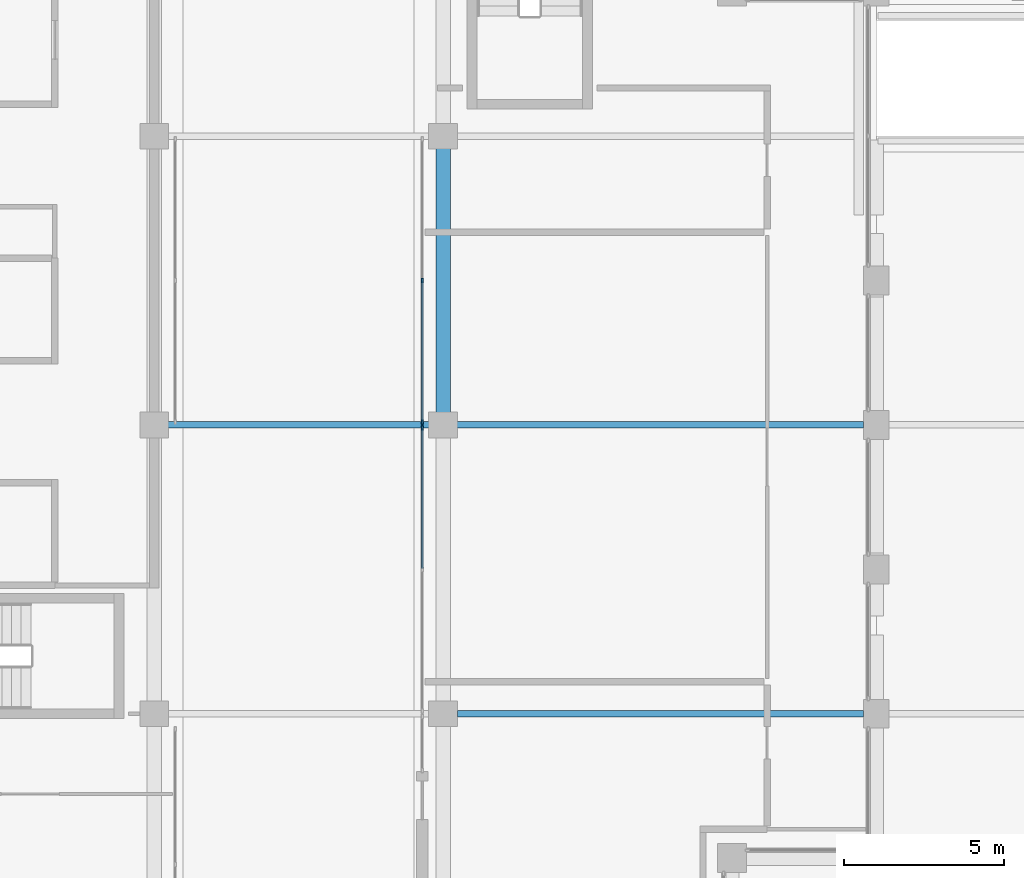
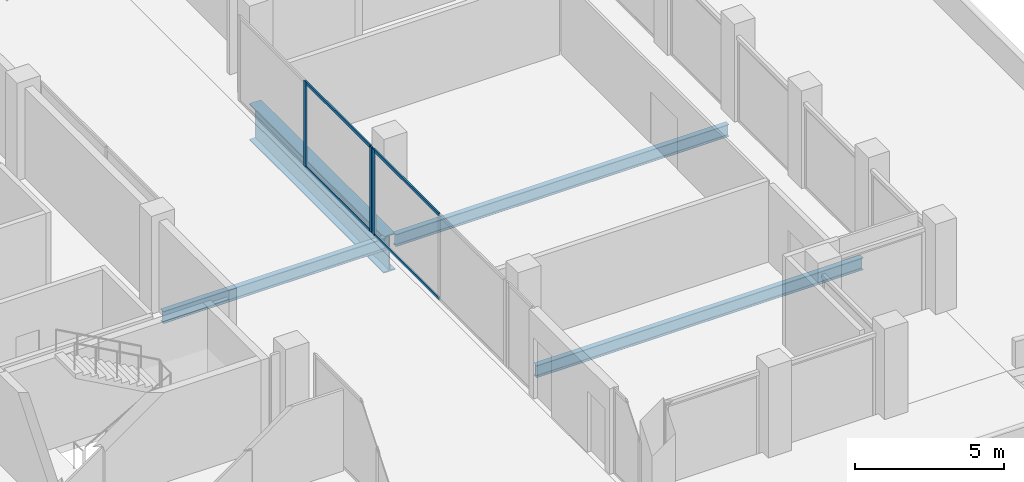
# One storey, part 5 of 14: 7 members, 4 beams, 2 elements without a shape of their own.
"""IFC4 building model written with IfcOpenShell, lengths in metres."""

from ifc_helpers import new_model, si_unit, direction, frame, origin, origin_2d, place, context, subcontext, project, spatial, rectangle, i_section, extrude, material, material_profile, profile_set, type_object, element, aggregate, save


model = new_model("IFC4")

# Units and contexts
model_context = context("Model", 3, precision=1e-05, world=origin(), true_north=direction((0.0, 1.0)))
body_context = subcontext(model_context, "Body", "Model", "MODEL_VIEW")
ifc_project = project(units=[si_unit("LENGTHUNIT", "METRE"), si_unit("AREAUNIT", "SQUARE_METRE"), si_unit("VOLUMEUNIT", "CUBIC_METRE"), si_unit("PLANEANGLEUNIT", "RADIAN"), si_unit("MASSUNIT", "GRAM", prefix="KILO")], contexts=[model_context])

# Site, building, storey
site_placement = place(None, origin())
site = spatial("IfcSite", under=ifc_project, at=site_placement, CompositionType="ELEMENT")
building_placement = place(site_placement, origin())
building = spatial("IfcBuilding", under=site, at=building_placement, Name="Brondeck Convention Tower", CompositionType="ELEMENT")
storey_placement = place(building_placement, frame((0.0, 0.0, 282.800048828125)))
storey = spatial("IfcBuildingStorey", under=building, at=storey_placement, Name="L70", CompositionType="ELEMENT", Elevation=282.800048828125)

# Curtain wall, members
ifc_material_1 = material(Name="Aluminium, bronze anodised", Category="aluminium")
curtain_wall_type = type_object("IfcCurtainWallType", Name="Crown screen curtain wall", PredefinedType="NOTDEFINED", material=ifc_material_1)
curtain_wall_1_placement = place(storey_placement, origin())
curtain_wall_1 = element("IfcCurtainWall", 1, at=curtain_wall_1_placement, inside=storey, type_object=curtain_wall_type, Name="ENV-CW4-L70-K2-SLOT-E-03", PredefinedType="NOTDEFINED")
ifc_material_profile_1 = material_profile(ifc_material_1, rectangle(XDim=0.06005859375, YDim=0.139892578125, at=origin_2d()), Name="CW4 mullion")
ifc_profile_set_1 = profile_set([ifc_material_profile_1], Name="Aluminium, bronze anodised")
member_type_1 = type_object("IfcMemberType", Name="CW4 mullion", PredefinedType="MULLION", material=ifc_profile_set_1)
member_1_placement = place(storey_placement, frame((21.85009765625, 45.090087890625, 0.0), z_axis=(0.0, 0.0, 1.0), x_axis=(-1.0, 0.0, 0.0)))
member_1 = element("IfcMember", 2, at=member_1_placement, type_object=member_type_1, Name="CW4 mullion 1", PredefinedType="MULLION", context=body_context, shape_type="SweptSolid", body=[
    extrude(rectangle(XDim=0.06005859375, YDim=0.139892578125, at=origin_2d()), origin(), (0.0, 0.0, 1.0), 3.5),
])
member_2_placement = place(storey_placement, frame((21.85009765625, 49.5, 0.0), z_axis=(0.0, 0.0, 1.0), x_axis=(-1.0, 0.0, 0.0)))
member_2 = element("IfcMember", 3, at=member_2_placement, type_object=member_type_1, Name="CW4 mullion 2", PredefinedType="MULLION", context=body_context, shape_type="SweptSolid", body=[
    extrude(rectangle(XDim=0.06005859375, YDim=0.139892578125, at=origin_2d()), origin(), (0.0, 0.0, 1.0), 3.5),
])

# Curtain wall, member
curtain_wall_2_placement = place(storey_placement, origin())
curtain_wall_2 = element("IfcCurtainWall", 4, at=curtain_wall_2_placement, inside=storey, type_object=curtain_wall_type, Name="ENV-CW4-L70-K2-SLOT-E-05", PredefinedType="NOTDEFINED")
member_3_placement = place(storey_placement, frame((21.85009765625, 44.909912109375, 0.0), z_axis=(0.0, 0.0, 1.0), x_axis=(-1.0, 0.0, 0.0)))
member_3 = element("IfcMember", 5, at=member_3_placement, type_object=member_type_1, Name="CW4 mullion 3", PredefinedType="MULLION", context=body_context, shape_type="SweptSolid", body=[
    extrude(rectangle(XDim=0.06005859375, YDim=0.139892578125, at=origin_2d()), origin(), (0.0, 0.0, 1.0), 3.5),
])

# Member
ifc_material_profile_2 = material_profile(ifc_material_1, rectangle(XDim=0.06005859375, YDim=0.1201171875, at=origin_2d()), Name="CW4 transom")
ifc_profile_set_2 = profile_set([ifc_material_profile_2], Name="Aluminium, bronze anodised")
member_type_2 = type_object("IfcMemberType", Name="CW4 transom", PredefinedType="USERDEFINED", material=ifc_profile_set_2)
member_4_placement = place(storey_placement, frame((21.85009765625, 45.1201171875, 0.030029296875), z_axis=(0.0, 1.0, 0.0), x_axis=(-1.0, 0.0, 0.0)))
member_4 = element("IfcMember", 6, at=member_4_placement, type_object=member_type_2, Name="CW4 transom 1.1", ObjectType="TRANSOM", PredefinedType="USERDEFINED", context=body_context, shape_type="SweptSolid", body=[
    extrude(rectangle(XDim=0.06005859375, YDim=0.1201171875, at=origin_2d()), origin(), (0.0, 0.0, 1.0), 4.349853515625),
])

member_5_placement = place(storey_placement, frame((21.85009765625, 45.1201171875, 3.469970703125), z_axis=(0.0, 1.0, 0.0), x_axis=(-1.0, 0.0, 0.0)))
member_5 = element("IfcMember", 7, at=member_5_placement, type_object=member_type_2, Name="CW4 transom 1.2", ObjectType="TRANSOM", PredefinedType="USERDEFINED", context=body_context, shape_type="SweptSolid", body=[
    extrude(rectangle(XDim=0.06005859375, YDim=0.1201171875, at=origin_2d()), origin(), (0.0, 0.0, 1.0), 4.349853515625),
])

aggregate(curtain_wall_1, [member_1, member_2, member_4, member_5])

member_6_placement = place(storey_placement, frame((21.85009765625, 40.530029296875, 0.030029296875), z_axis=(0.0, 1.0, 0.0), x_axis=(-1.0, 0.0, 0.0)))
member_6 = element("IfcMember", 8, at=member_6_placement, type_object=member_type_2, Name="CW4 transom 2.1", ObjectType="TRANSOM", PredefinedType="USERDEFINED", context=body_context, shape_type="SweptSolid", body=[
    extrude(rectangle(XDim=0.06005859375, YDim=0.1201171875, at=origin_2d()), origin(), (0.0, 0.0, 1.0), 4.349853515625),
])

member_7_placement = place(storey_placement, frame((21.85009765625, 40.530029296875, 3.469970703125), z_axis=(0.0, 1.0, 0.0), x_axis=(-1.0, 0.0, 0.0)))
member_7 = element("IfcMember", 9, at=member_7_placement, type_object=member_type_2, Name="CW4 transom 2.2", ObjectType="TRANSOM", PredefinedType="USERDEFINED", context=body_context, shape_type="SweptSolid", body=[
    extrude(rectangle(XDim=0.06005859375, YDim=0.1201171875, at=origin_2d()), origin(), (0.0, 0.0, 1.0), 4.349853515625),
])

aggregate(curtain_wall_2, [member_3, member_6, member_7])

# Beams
ifc_material_2 = material(Name="Steel S355", Category="steel")
ifc_material_profile_3 = material_profile(ifc_material_2, i_section(OverallWidth=0.199951171875, OverallDepth=0.5, WebThickness=0.01025390625, FlangeThickness=0.01611328125, FilletRadius=0.02099609375, at=origin_2d()), Name="IPE 500")
ifc_profile_set_3 = profile_set([ifc_material_profile_3], Name="Steel S355")
beam_type_1 = type_object("IfcBeamType", Name="Crown frame Floor beam IPE 500", PredefinedType="BEAM", material=ifc_profile_set_3)
beam_1_placement = place(storey_placement, frame((22.949951171875, 36.0, -0.550048828125), z_axis=(1.0, 0.0, 0.0), x_axis=(0.0, 1.0, 0.0)))
element("IfcBeam", 10, at=beam_1_placement, inside=storey, type_object=beam_type_1, Name="STR-FB-L70K2-001", PredefinedType="BEAM", context=body_context, shape_type="SweptSolid", body=[
    extrude(i_section(OverallWidth=0.199951171875, OverallDepth=0.5, WebThickness=0.01025390625, FlangeThickness=0.01611328125, FilletRadius=0.02099609375, at=origin_2d()), origin(), (0.0, 0.0, 1.0), 12.650146484375),
])
beam_2_placement = place(storey_placement, frame((22.695068359375, 45.0, -0.550048828125), z_axis=(1.0, 0.0, 0.0), x_axis=(0.0, 1.0, 0.0)))
element("IfcBeam", 11, at=beam_2_placement, inside=storey, type_object=beam_type_1, Name="STR-FB-L70K2-002", PredefinedType="BEAM", context=body_context, shape_type="SweptSolid", body=[
    extrude(i_section(OverallWidth=0.199951171875, OverallDepth=0.5, WebThickness=0.01025390625, FlangeThickness=0.01611328125, FilletRadius=0.02099609375, at=origin_2d()), origin(), (0.0, 0.0, 1.0), 12.905029296875),
])
beam_3_placement = place(storey_placement, frame((13.695068359375, 45.0, -0.550048828125), z_axis=(1.0, 0.0, 0.0), x_axis=(0.0, 1.0, 0.0)))
element("IfcBeam", 12, at=beam_3_placement, inside=storey, type_object=beam_type_1, Name="STR-FB-L70-S4-SLOT-002", PredefinedType="BEAM", context=body_context, shape_type="SweptSolid", body=[
    extrude(i_section(OverallWidth=0.199951171875, OverallDepth=0.5, WebThickness=0.01025390625, FlangeThickness=0.01611328125, FilletRadius=0.02099609375, at=origin_2d()), origin(), (0.0, 0.0, 1.0), 8.60986328125),
])
ifc_material_3 = material(Name="Steel S460", Category="steel")
ifc_material_profile_4 = material_profile(ifc_material_3, i_section(OverallWidth=0.449951171875, OverallDepth=1.5, WebThickness=0.02490234375, FlangeThickness=0.044921875, at=origin_2d()), Name="PG 1500x450")
ifc_profile_set_4 = profile_set([ifc_material_profile_4], Name="Steel S460")
beam_type_2 = type_object("IfcBeamType", Name="Crown frame Transfer girder PG 1500x450", PredefinedType="BEAM", material=ifc_profile_set_4)
beam_4_placement = place(storey_placement, frame((22.5, 54.0, -1.050048828125), z_axis=(0.0, -1.0, 0.0), x_axis=(1.0, 0.0, 0.0)))
element("IfcBeam", 13, at=beam_4_placement, inside=storey, type_object=beam_type_2, Name="Crown transfer girder PG-L70K2-18", PredefinedType="BEAM", context=body_context, shape_type="SweptSolid", body=[
    extrude(i_section(OverallWidth=0.449951171875, OverallDepth=1.5, WebThickness=0.02490234375, FlangeThickness=0.044921875, at=origin_2d()), origin(), (0.0, 0.0, 1.0), 9.0),
])

save(model, "model.ifc")
